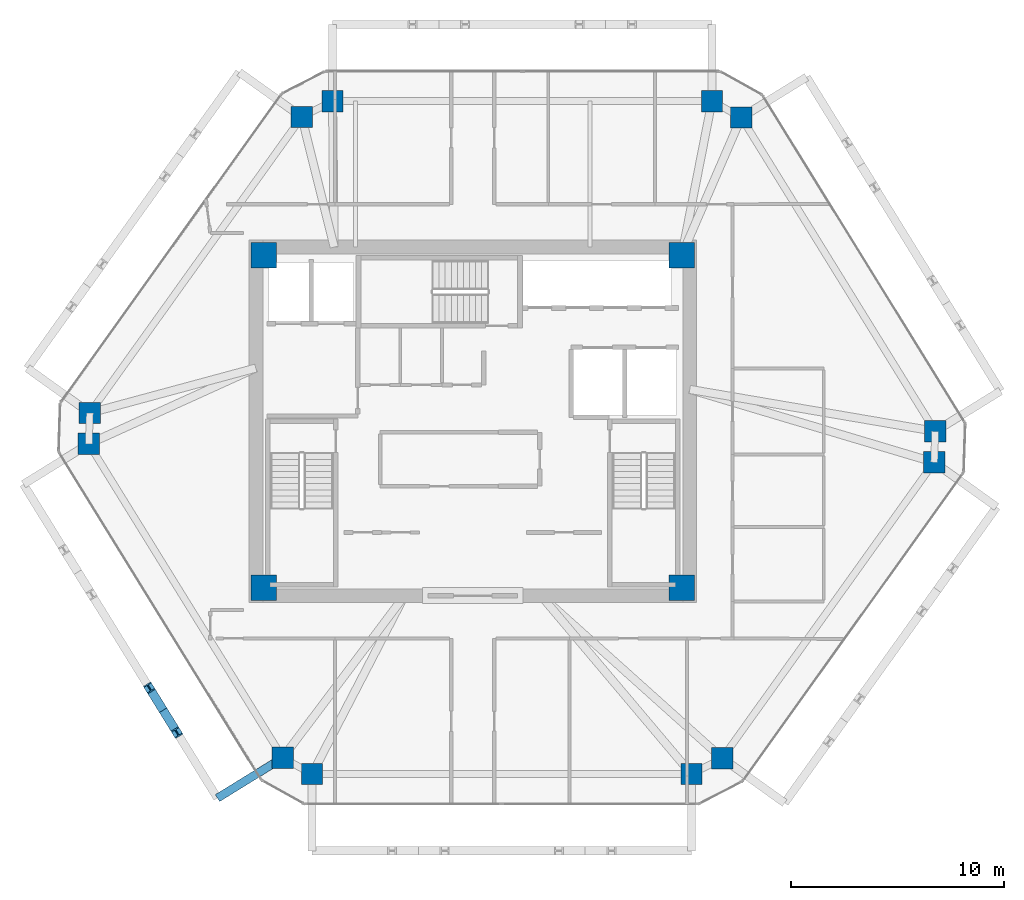
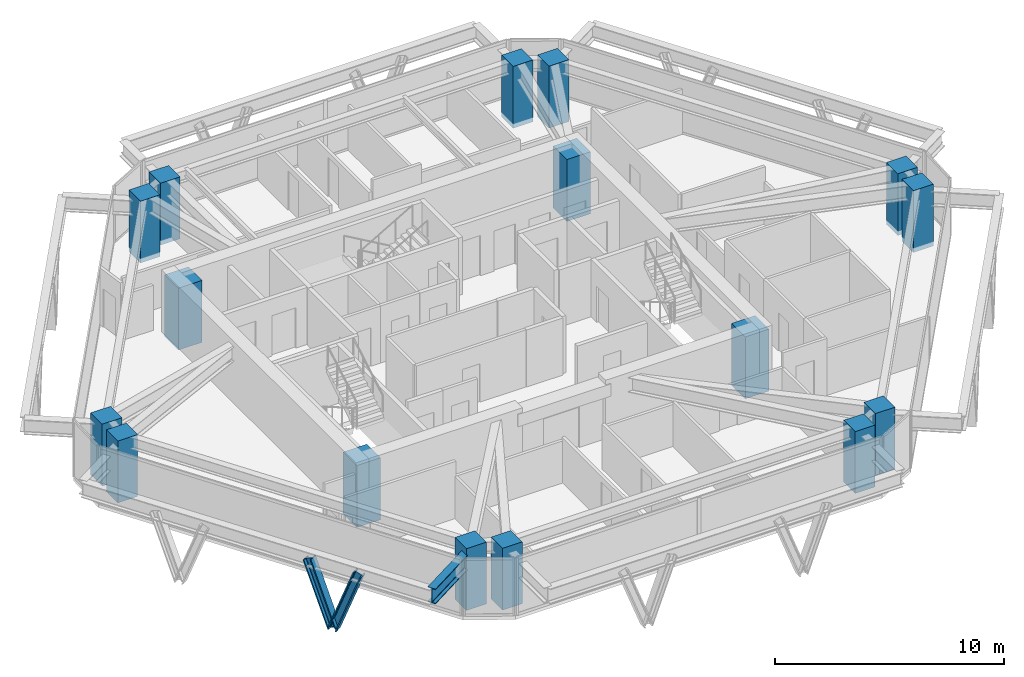
# One storey, part 1 of 11: 16 columns, 2 members, 1 beam.
"""IFC4 building model written with IfcOpenShell, lengths in metres."""

from ifc_helpers import new_model, si_unit, direction, frame, origin, origin_2d, place, context, subcontext, project, spatial, rectangle, i_section, extrude, source, transform, mapped, material, material_profile, profile_set, type_object, type_shapes, element, save


model = new_model("IFC4")

# Units and contexts
model_context = context("Model", 3, precision=1e-05, world=origin(), true_north=direction((0.0, 1.0)))
body_context = subcontext(model_context, "Body", "Model", "MODEL_VIEW")
ifc_project = project(units=[si_unit("LENGTHUNIT", "METRE"), si_unit("AREAUNIT", "SQUARE_METRE"), si_unit("VOLUMEUNIT", "CUBIC_METRE"), si_unit("PLANEANGLEUNIT", "RADIAN"), si_unit("MASSUNIT", "GRAM", prefix="KILO")], contexts=[model_context])

# Site, building, storey
site_placement = place(None, origin())
site = spatial("IfcSite", under=ifc_project, at=site_placement, CompositionType="ELEMENT")
building_placement = place(site_placement, origin())
building = spatial("IfcBuilding", under=site, at=building_placement, Name="Durnholm Broadcast Tower", CompositionType="ELEMENT")
storey_placement = place(building_placement, frame((0.0, 0.0, 177.10009765625)))
storey = spatial("IfcBuildingStorey", under=building, at=storey_placement, Name="L48", CompositionType="ELEMENT", Elevation=177.10009765625)

# Columns
ifc_material_1 = material(Name="Concrete C70/85", Category="concrete")
ifc_material_profile_1 = material_profile(ifc_material_1, rectangle(XDim=1.199951171875, YDim=1.199951171875, at=origin_2d()), Name="RC1200X1200")
ifc_profile_set_1 = profile_set([ifc_material_profile_1], Name="Concrete C70/85")
column_type_1 = type_object("IfcColumnType", Name="COL-CC-1200", PredefinedType="COLUMN", material=ifc_profile_set_1)
shared_shape_1 = source(origin(), body_context, "Body", "SweptSolid", [
    extrude(rectangle(XDim=1.199951171875, YDim=1.199951171875, at=origin_2d()), origin(), (0.0, 0.0, 1.0), 3.2998046875),
])
type_shapes(column_type_1, [shared_shape_1])
for number, where, z_axis, x_axis, name in (
    (1, (-9.800048828125, -7.800048828125, -0.239990234375), (0.0, 0.0, 1.0), (1.0, 0.0, 0.0), "L48 core corner column 1"),
    (2, (9.800048828125, -7.800048828125, -0.239990234375), (0.0, 0.0, 1.0), (1.0, 0.0, 0.0), "L48 core corner column 2"),
    (3, (9.800048828125, 7.800048828125, -0.239990234375), (0.0, 0.0, 1.0), (1.0, 0.0, 0.0), "L48 core corner column 3"),
    (4, (-9.800048828125, 7.800048828125, -0.239990234375), (0.0, 0.0, 1.0), (1.0, 0.0, 0.0), "L48 core corner column 4"),
):
    element("IfcColumn", number, at=place(storey_placement, frame(where, z_axis=z_axis, x_axis=x_axis)), inside=storey, type_object=column_type_1, Name=name, PredefinedType="COLUMN", context=body_context, shape_type="MappedRepresentation", body=[
        mapped(shared_shape_1, transform((0.0, 0.0, 0.0), x_axis=(1.0, 0.0, 0.0), y_axis=(0.0, 1.0, 0.0), z_axis=(0.0, 0.0, 1.0), scale=1.0)),
    ])
ifc_material_profile_2 = material_profile(ifc_material_1, rectangle(XDim=1.0, YDim=1.0, at=origin_2d()), Name="RC1000X1000")
ifc_profile_set_2 = profile_set([ifc_material_profile_2], Name="Concrete C70/85")
column_type_2 = type_object("IfcColumnType", Name="COL-CC-1000", PredefinedType="COLUMN", material=ifc_profile_set_2)
shared_shape_2 = source(origin(), body_context, "Body", "SweptSolid", [
    extrude(rectangle(XDim=1.0, YDim=1.0, at=origin_2d()), origin(), (0.0, 0.0, 1.0), 3.2998046875),
])
type_shapes(column_type_2, [shared_shape_2])
for number, where, z_axis, x_axis, name in (
    (5, (-8.91259765625, -15.7763671875, -0.239990234375), (0.0, 0.0, 1.0), (1.0, 0.0, 0.0), "L48 perimeter hexagonal tube column 01"),
    (6, (-18.009033203125, -1.056640625, -0.239990234375), (0.0, 0.0, 1.0), (1.0, 0.0, 0.0), "L48 perimeter hexagonal tube column 02"),
    (7, (-17.9599609375, 0.3955078125, -0.239990234375), (0.0, 0.0, 1.0), (1.0, 0.0, 0.0), "L48 perimeter hexagonal tube column 03"),
    (8, (-8.021728515625, 14.2763671875, -0.239990234375), (0.0, 0.0, 1.0), (1.0, 0.0, 0.0), "L48 perimeter hexagonal tube column 04"),
    (9, (-6.57861328125, 15.01806640625, -0.239990234375), (0.0, 0.0, 1.0), (1.0, 0.0, 0.0), "L48 perimeter hexagonal tube column 05"),
    (10, (11.217529296875, 15.01806640625, -0.239990234375), (0.0, 0.0, 1.0), (1.0, 0.0, 0.0), "L48 perimeter hexagonal tube column 06"),
    (11, (12.5908203125, 14.252197265625, -0.239990234375), (0.0, 0.0, 1.0), (1.0, 0.0, 0.0), "L48 perimeter hexagonal tube column 07"),
    (12, (21.68701171875, -0.46728515625, -0.239990234375), (0.0, 0.0, 1.0), (1.0, 0.0, 0.0), "L48 perimeter hexagonal tube column 08"),
    (13, (21.637939453125, -1.919677734375, -0.239990234375), (0.0, 0.0, 1.0), (1.0, 0.0, 0.0), "L48 perimeter hexagonal tube column 09"),
    (14, (11.69970703125, -15.80029296875, -0.239990234375), (0.0, 0.0, 1.0), (1.0, 0.0, 0.0), "L48 perimeter hexagonal tube column 10"),
    (15, (10.256591796875, -16.5419921875, -0.239990234375), (0.0, 0.0, 1.0), (1.0, 0.0, 0.0), "L48 perimeter hexagonal tube column 11"),
    (16, (-7.53955078125, -16.5419921875, -0.239990234375), (0.0, 0.0, 1.0), (1.0, 0.0, 0.0), "L48 perimeter hexagonal tube column 12"),
):
    element("IfcColumn", number, at=place(storey_placement, frame(where, z_axis=z_axis, x_axis=x_axis)), inside=storey, type_object=column_type_2, Name=name, PredefinedType="COLUMN", context=body_context, shape_type="MappedRepresentation", body=[
        mapped(shared_shape_2, transform((0.0, 0.0, 0.0), x_axis=(1.0, 0.0, 0.0), y_axis=(0.0, 1.0, 0.0), z_axis=(0.0, 0.0, 1.0), scale=1.0)),
    ])

# Beam
ifc_material_2 = material(Name="Steel ASTM A992 Grade 50", Category="steel")
ifc_material_profile_3 = material_profile(ifc_material_2, i_section(OverallWidth=0.385009765625, OverallDepth=0.802978515625, WebThickness=0.023681640625, FlangeThickness=0.0419921875, FilletRadius=0.032958984375, at=origin_2d()), Name="W30X261")
ifc_profile_set_3 = profile_set([ifc_material_profile_3], Name="Steel ASTM A992 Grade 50")
beam_type = type_object("IfcBeamType", Name="BM-EXO-TIE", PredefinedType="USERDEFINED", material=ifc_profile_set_3)
shared_shape_3 = source(origin(), body_context, "Body", "SweptSolid", [
    extrude(i_section(OverallWidth=0.385009765625, OverallDepth=0.802978515625, WebThickness=0.023681640625, FlangeThickness=0.0419921875, FilletRadius=0.032958984375, at=origin_2d()), origin(), (0.0, 0.0, 1.0), 3.4560546875),
])
type_shapes(beam_type, [shared_shape_3])
beam_placement = place(storey_placement, frame((-9.03515625, -15.85205078125, 2.308349609375), z_axis=(-0.850693939061, -0.525661318764, 0.0), x_axis=(0.525661318764, -0.850693939061, 0.0)))
element("IfcBeam", 17, at=beam_placement, inside=storey, type_object=beam_type, Name="L48 exoskeleton stand-off tie bracket F6.2", ObjectType="GIRDER", PredefinedType="USERDEFINED", context=body_context, shape_type="MappedRepresentation", body=[
    mapped(shared_shape_3, transform((0.0, 0.0, 0.0), x_axis=(1.0, 0.0, 0.0), y_axis=(0.0, 1.0, 0.0), z_axis=(0.0, 0.0, 1.0), scale=1.0)),
])

# Members
ifc_material_3 = material(Name="Steel ASTM A913 Grade 65", Category="steel")
ifc_material_profile_4 = material_profile(ifc_material_3, i_section(OverallWidth=0.412109375, OverallDepth=0.434814453125, WebThickness=0.035888671875, FlangeThickness=0.057373046875, FilletRadius=0.030517578125, at=origin_2d()), Name="W14X311")
ifc_profile_set_4 = profile_set([ifc_material_profile_4], Name="Steel ASTM A913 Grade 65")
member_type = type_object("IfcMemberType", Name="STL-DG-W14X311", PredefinedType="BRACE", material=ifc_profile_set_4)
shared_shape_4 = source(origin(), body_context, "Body", "SweptSolid", [
    extrude(i_section(OverallWidth=0.412109375, OverallDepth=0.434814453125, WebThickness=0.035888671875, FlangeThickness=0.057373046875, FilletRadius=0.030517578125, at=origin_2d()), origin(), (0.0, 0.0, 1.0), 3.52294921875),
])
type_shapes(member_type, [shared_shape_4])
for number, where, z_axis, x_axis, name in (
    (18, (-14.522216796875, -13.54736328125, -0.991455078125), (-0.184064036868, 0.297925939192, 0.936675271953), (-0.850732935913, -0.525598203719, 0.0), "L48 stand-off diagrid brace F6.D2.1"),
    (19, (-14.522216796875, -13.54736328125, -0.991455078125), (0.18413098891, -0.297922138248, 0.936663321832), (0.850644447398, 0.525741404219, 0.0), "L48 stand-off diagrid brace F6.D2.2"),
):
    element("IfcMember", number, at=place(storey_placement, frame(where, z_axis=z_axis, x_axis=x_axis)), inside=storey, type_object=member_type, Name=name, PredefinedType="BRACE", context=body_context, shape_type="MappedRepresentation", body=[
        mapped(shared_shape_4, transform((0.0, 0.0, 0.0), x_axis=(1.0, 0.0, 0.0), y_axis=(0.0, 1.0, 0.0), z_axis=(0.0, 0.0, 1.0), scale=1.0)),
    ])

save(model, "model.ifc")
